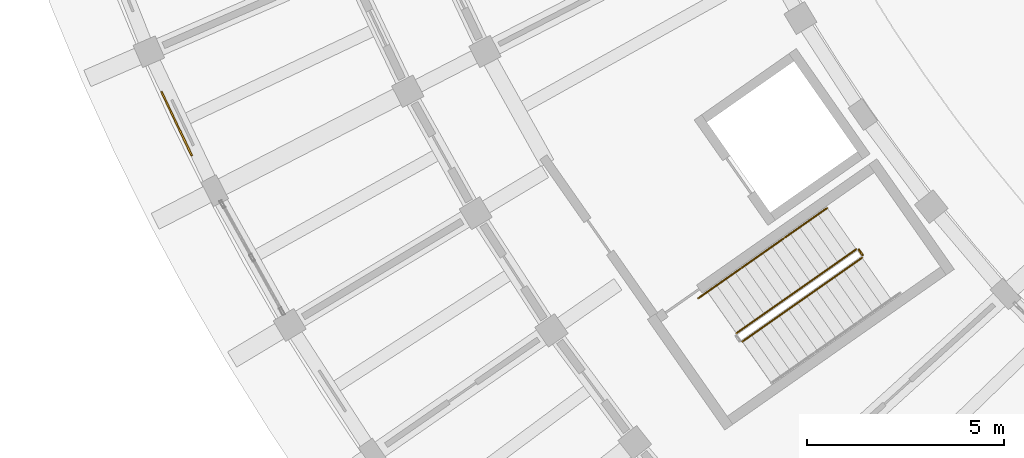
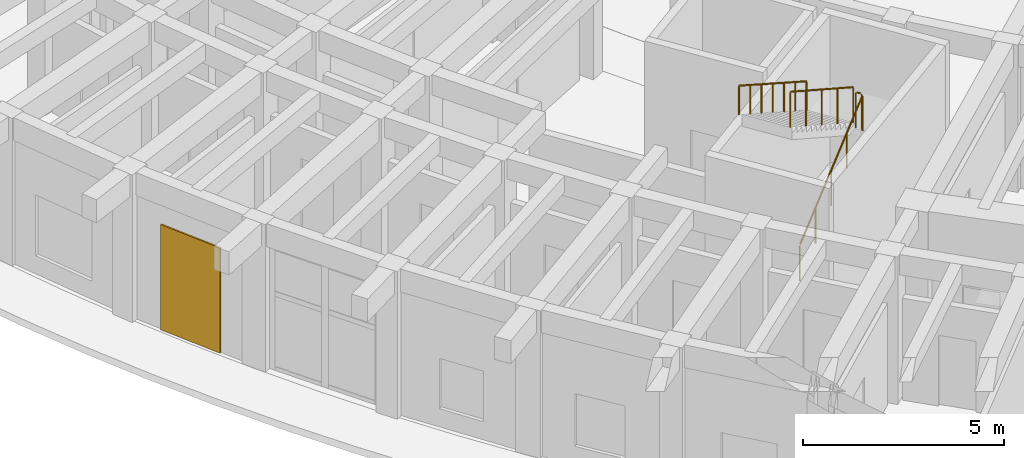
# One storey, part 115 of 132: 6 railings, 1 covering.
"""IFC4 building model written with IfcOpenShell, lengths in metres."""

from ifc_helpers import new_model, si_unit, direction, frame, origin, origin_2d, place, context, subcontext, project, spatial, rectangle, circle, extrude, material, layer, layer_set, type_object, element, save


model = new_model("IFC4")

# Units and contexts
model_context = context("Model", 3, precision=1e-05, world=origin(), true_north=direction((0.0, 1.0)))
body_context = subcontext(model_context, "Body", "Model", "MODEL_VIEW")
ifc_project = project(units=[si_unit("LENGTHUNIT", "METRE"), si_unit("AREAUNIT", "SQUARE_METRE"), si_unit("VOLUMEUNIT", "CUBIC_METRE"), si_unit("PLANEANGLEUNIT", "RADIAN"), si_unit("MASSUNIT", "GRAM", prefix="KILO")], contexts=[model_context])

# Site, building, storey
site_placement = place(None, origin())
site = spatial("IfcSite", under=ifc_project, at=site_placement, CompositionType="ELEMENT")
building_placement = place(site_placement, origin())
building = spatial("IfcBuilding", under=site, at=building_placement, Name="Tanwirah Colonnade Gardens", CompositionType="ELEMENT")
storey_placement = place(building_placement, origin())
storey = spatial("IfcBuildingStorey", under=building, at=storey_placement, Name="L00", CompositionType="ELEMENT", Elevation=0.0)

# Covering
ifc_material_1 = material(Name="Rusticated Abu Dhabi cream limestone cladding", Category="masonry")
ifc_layer = layer(ifc_material_1, 0.044921875)
ifc_layer_set = layer_set([ifc_layer], Name="Rusticated Abu Dhabi cream limestone cladding")
covering_type = type_object("IfcCoveringType", Name="COV-CLAD45", PredefinedType="CLADDING", material=ifc_layer_set)
covering_placement = place(storey_placement, frame((11.09033203125, 38.9306640625, 0.0), z_axis=(0.0, 0.0, 1.0), x_axis=(0.4285407605, -0.903522449411, 0.0)))
element("IfcCovering", 1, at=covering_placement, inside=storey, type_object=covering_type, Name="Block C Base Limestone Rusticated Cladding", PredefinedType="CLADDING", context=body_context, shape_type="SweptSolid", body=[
    extrude(rectangle(XDim=1.800048828125, YDim=0.044921875, at=origin_2d()), origin(), (0.0, 0.0, 1.0), 3.199951171875),
])

# Railings
ifc_material_2 = material(Name="Powder-coated galvanized steel", Category="steel")
railing_type_1 = type_object("IfcRailingType", Name="GRD-ST110", PredefinedType="GUARDRAIL", material=ifc_material_2)
railing_1_placement = place(storey_placement, frame((25.426513671875, 33.40869140625, 0.169921875)))
element("IfcRailing", 2, at=railing_1_placement, inside=storey, type_object=railing_type_1, Name="L00 ST-C1 stair guard 1", PredefinedType="GUARDRAIL", context=body_context, shape_type="SweptSolid", body=[
    extrude(circle(Radius=0.02392578125, at=origin_2d()), frame((0.02197265625, 0.015380859375, 1.092041015625), z_axis=(0.703490082524, 0.492629810021, 0.512267092511), x_axis=(-0.573608275251, 0.819129749529, 0.0)), (0.0, 0.0, 1.0), 4.25146484375),
    extrude(circle(Radius=0.02099609375, at=origin_2d()), origin(), (0.0, 0.0, 1.0), 1.049072265625),
    extrude(circle(Radius=0.02099609375, at=origin_2d()), frame((0.7587890625, 0.53125, 0.552490234375)), (0.0, 0.0, 1.0), 1.049072265625),
    extrude(circle(Radius=0.02099609375, at=origin_2d()), frame((1.517578125, 1.0625, 1.10498046875)), (0.0, 0.0, 1.0), 1.049072265625),
    extrude(circle(Radius=0.02099609375, at=origin_2d()), frame((2.276123046875, 1.593994140625, 1.657470703125)), (0.0, 0.0, 1.0), 1.049072265625),
    extrude(circle(Radius=0.02099609375, at=origin_2d()), frame((3.034912109375, 2.125244140625, 2.2099609375)), (0.0, 0.0, 1.0), 1.049072265625),
])
railing_2_placement = place(storey_placement, frame((28.4736328125, 35.603515625, 2.3798828125)))
element("IfcRailing", 3, at=railing_2_placement, inside=storey, type_object=railing_type_1, Name="L00 ST-C1 stair guard 2", PredefinedType="GUARDRAIL", context=body_context, shape_type="SweptSolid", body=[
    extrude(circle(Radius=0.02392578125, at=origin_2d()), frame((-0.017822265625, 0.025634765625, 1.076171875), z_axis=(-0.57356471828, 0.819160249246, 0.0), x_axis=(-0.819160249246, -0.57356471828, 0.0)), (0.0, 0.0, 1.0), 0.097412109375),
    extrude(circle(Radius=0.02099609375, at=origin_2d()), origin(), (0.0, 0.0, 1.0), 1.049072265625),
    extrude(circle(Radius=0.02099609375, at=origin_2d()), frame((-0.091796875, 0.131103515625, 0.0)), (0.0, 0.0, 1.0), 1.049072265625),
])
railing_3_placement = place(storey_placement, frame((28.312255859375, 35.746826171875, 2.550048828125)))
element("IfcRailing", 4, at=railing_3_placement, inside=storey, type_object=railing_type_1, Name="L00 ST-C1 stair guard 3", PredefinedType="GUARDRAIL", context=body_context, shape_type="SweptSolid", body=[
    extrude(circle(Radius=0.02392578125, at=origin_2d()), frame((-0.02197265625, -0.015380859375, 1.092041015625), z_axis=(-0.70350969461, -0.492586950518, 0.512281373631), x_axis=(0.573564059536, -0.819160710489, 0.0)), (0.0, 0.0, 1.0), 4.25146484375),
    extrude(circle(Radius=0.02099609375, at=origin_2d()), origin(), (0.0, 0.0, 1.0), 1.049072265625),
    extrude(circle(Radius=0.02099609375, at=origin_2d()), frame((-0.7587890625, -0.53125, 0.552490234375)), (0.0, 0.0, 1.0), 1.049072265625),
    extrude(circle(Radius=0.02099609375, at=origin_2d()), frame((-1.517578125, -1.0625, 1.10498046875)), (0.0, 0.0, 1.0), 1.049072265625),
    extrude(circle(Radius=0.02099609375, at=origin_2d()), frame((-2.276123046875, -1.59375, 1.657470703125)), (0.0, 0.0, 1.0), 1.049072265625),
    extrude(circle(Radius=0.02099609375, at=origin_2d()), frame((-3.034912109375, -2.125, 2.2099609375)), (0.0, 0.0, 1.0), 1.049072265625),
])
ifc_material_3 = material(Name="Brushed bronze stainless steel", Category="steel")
railing_type_2 = type_object("IfcRailingType", Name="HR-ST090", PredefinedType="HANDRAIL", material=ifc_material_3)
railing_4_placement = place(storey_placement, frame((27.578125, 36.79541015625, 2.550048828125)))
element("IfcRailing", 5, at=railing_4_placement, inside=storey, type_object=railing_type_2, Name="L00 ST-C1 stair handrail 4", PredefinedType="HANDRAIL", context=body_context, shape_type="SweptSolid", body=[
    extrude(circle(Radius=0.02392578125, at=origin_2d()), frame((-0.02197265625, -0.015380859375, 0.891845703125), z_axis=(-0.702133515204, -0.491635051538, 0.515076210795), x_axis=(0.573573204268, -0.819154307408, 0.0)), (0.0, 0.0, 1.0), 1.4892578125),
    extrude(circle(Radius=0.02099609375, at=origin_2d()), origin(), (0.0, 0.0, 1.0), 0.848876953125),
    extrude(circle(Radius=0.02099609375, at=origin_2d()), frame((-0.544921875, -0.38134765625, 0.399658203125)), (0.0, 0.0, 1.0), 0.848876953125),
    extrude(circle(Radius=0.02099609375, at=origin_2d()), frame((-1.089599609375, -0.762939453125, 0.79931640625)), (0.0, 0.0, 1.0), 0.848876953125),
])
railing_5_placement = place(storey_placement, frame((26.488525390625, 36.032470703125, 3.349365234375)))
element("IfcRailing", 6, at=railing_5_placement, inside=storey, type_object=railing_type_2, Name="L00 ST-C1 stair handrail 5", PredefinedType="HANDRAIL", context=body_context, shape_type="SweptSolid", body=[
    extrude(circle(Radius=0.02392578125, at=origin_2d()), frame((-0.02197265625, -0.015380859375, 0.891845703125), z_axis=(-0.702053737774, -0.491689361395, 0.515133110146), x_axis=(0.57365945101, -0.81909391053, 0.0)), (0.0, 0.0, 1.0), 1.4892578125),
    extrude(circle(Radius=0.02099609375, at=origin_2d()), origin(), (0.0, 0.0, 1.0), 0.848876953125),
    extrude(circle(Radius=0.02099609375, at=origin_2d()), frame((-0.544677734375, -0.38134765625, 0.399658203125)), (0.0, 0.0, 1.0), 0.848876953125),
    extrude(circle(Radius=0.02099609375, at=origin_2d()), frame((-1.08935546875, -0.762939453125, 0.79931640625)), (0.0, 0.0, 1.0), 0.848876953125),
])
railing_6_placement = place(storey_placement, frame((25.399169921875, 35.26953125, 4.148681640625)))
element("IfcRailing", 7, at=railing_6_placement, inside=storey, type_object=railing_type_2, Name="L00 ST-C1 stair handrail 6", PredefinedType="HANDRAIL", context=body_context, shape_type="SweptSolid", body=[
    extrude(circle(Radius=0.02392578125, at=origin_2d()), frame((-0.02197265625, -0.015380859375, 0.891845703125), z_axis=(-0.702187819758, -0.491515740292, 0.515116047924), x_axis=(0.573450024651, -0.81924054418, 0.0)), (0.0, 0.0, 1.0), 1.4892578125),
    extrude(circle(Radius=0.02099609375, at=origin_2d()), origin(), (0.0, 0.0, 1.0), 0.848876953125),
    extrude(circle(Radius=0.02099609375, at=origin_2d()), frame((-0.544921875, -0.38134765625, 0.399658203125)), (0.0, 0.0, 1.0), 0.848876953125),
    extrude(circle(Radius=0.02099609375, at=origin_2d()), frame((-1.089599609375, -0.7626953125, 0.79931640625)), (0.0, 0.0, 1.0), 0.848876953125),
])

save(model, "model.ifc")
